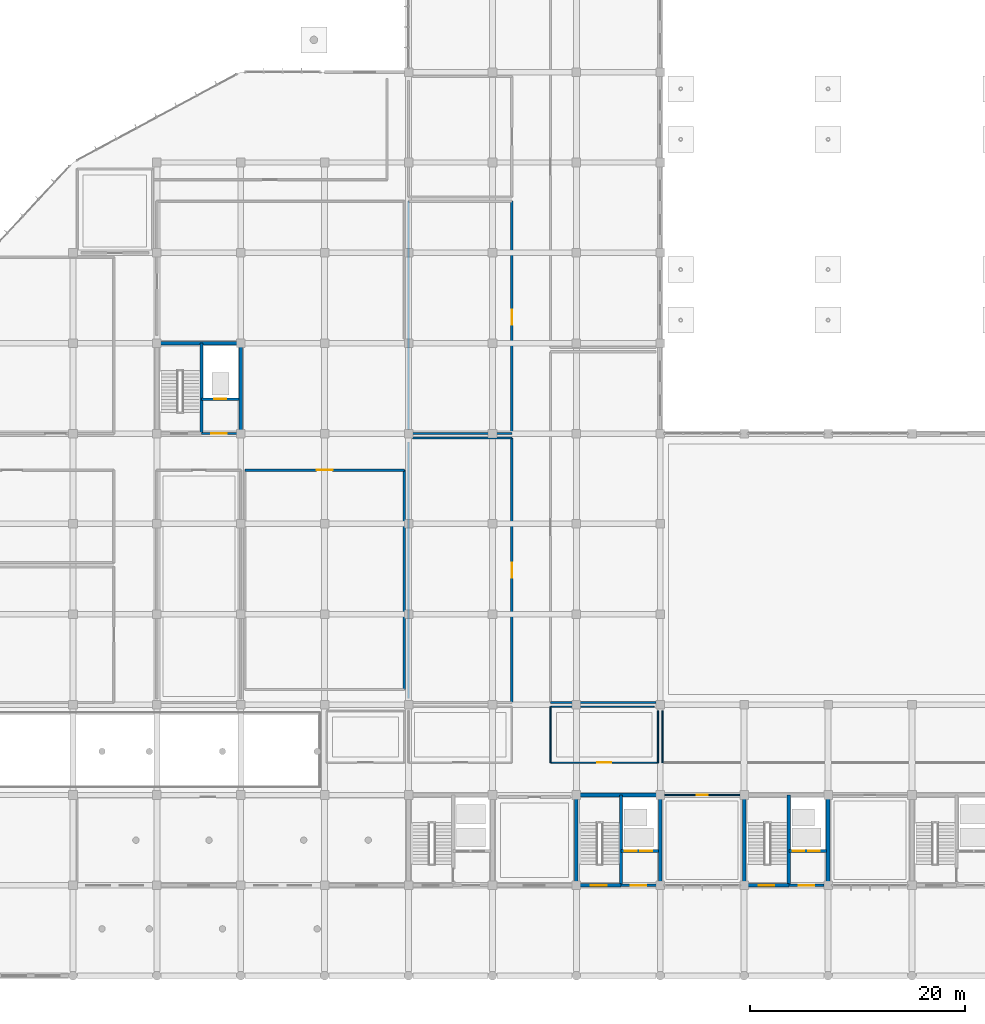
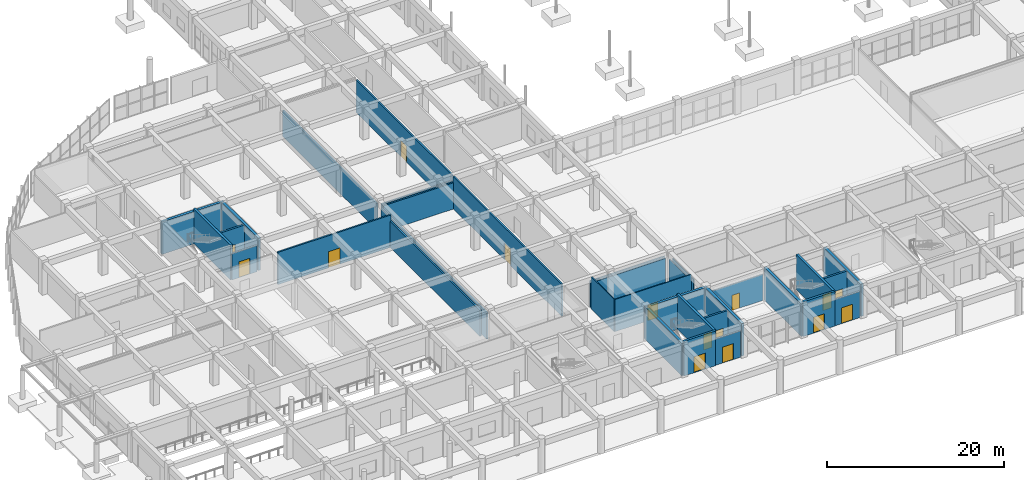
# One storey, part 123 of 139: 33 walls, 15 doors, 15 openings.
"""IFC4 building model written with IfcOpenShell, lengths in metres."""

from ifc_helpers import new_model, si_unit, direction, frame, frame_2d, origin, place, context, subcontext, project, spatial, rectangle, extrude, material, layer, layer_set, type_object, element, fill, save


model = new_model("IFC4")

# Units and contexts
model_context = context("Model", 3, precision=1e-05, world=origin(), true_north=direction((0.0, 1.0)))
body_context = subcontext(model_context, "Body", "Model", "MODEL_VIEW")
ifc_project = project(units=[si_unit("LENGTHUNIT", "METRE"), si_unit("AREAUNIT", "SQUARE_METRE"), si_unit("VOLUMEUNIT", "CUBIC_METRE"), si_unit("PLANEANGLEUNIT", "RADIAN"), si_unit("MASSUNIT", "GRAM", prefix="KILO")], contexts=[model_context])

# Site, building, storey
site_placement = place(None, origin())
site = spatial("IfcSite", under=ifc_project, at=site_placement, CompositionType="ELEMENT")
building_placement = place(site_placement, origin())
building = spatial("IfcBuilding", under=site, at=building_placement, Name="Zizhar Promenade General Hospital", CompositionType="ELEMENT")
storey_placement = place(building_placement, origin())
storey = spatial("IfcBuildingStorey", under=building, at=storey_placement, Name="L00", CompositionType="ELEMENT", Elevation=0.0)

# Wall, opening, door
ifc_material_1 = material(Name="Concrete C35/45", Category="concrete")
ifc_layer_1 = layer(ifc_material_1, 0.215087890625)
ifc_layer_set_1 = layer_set([ifc_layer_1], Name="Concrete C35/45")
wall_type_1 = type_object("IfcWallType", Name="IW-LOBBY-215", PredefinedType="STANDARD", material=ifc_layer_set_1)
wall_1_placement = place(storey_placement, frame((27.550048828125, 50.39990234375, 0.0), z_axis=(0.0, 0.0, 1.0), x_axis=(1.0, 0.0, 0.0)))
wall_1 = element("IfcWall", 1, at=wall_1_placement, inside=storey, type_object=wall_type_1, Name="Core C1 Lift Lobby South Fire Wall (L00)", PredefinedType="STANDARD", context=body_context, shape_type="SweptSolid", body=[
    extrude(rectangle(XDim=3.2900390625, YDim=0.215087890625, at=frame_2d((1.64501953125, 0.0))), origin(), (0.0, 0.0, 1.0), 3.6298828125),
])
opening_1_placement = place(wall_1_placement, frame((0.925048828125, 0.0, 0.0)))
opening_1 = element("IfcOpeningElement", 2, at=opening_1_placement, cuts=wall_1, Name="Opening D-23", PredefinedType="OPENING", context=body_context, shape_type="SweptSolid", body=[
    extrude(rectangle(XDim=1.43994140625, YDim=2.199951171875, at=frame_2d((0.719970703125, 1.10009765625))), frame((0.0, 0.11767578125, 0.0), z_axis=(0.0, -1.0, 0.0), x_axis=(1.0, 0.0, 0.0)), (0.0, 0.0, 1.0), 0.235107421875),
])
ifc_material_2 = material(Name="Fire-rated timber lift lobby pair", Category="wood")
door_type_1 = type_object("IfcDoorType", Name="DR-LOBBY-PR-144x220", OperationType="DOUBLE_DOOR_SINGLE_SWING", PredefinedType="DOOR", material=ifc_material_2)
door_1_placement = place(opening_1_placement, origin())
door_1 = element("IfcDoor", 3, at=door_1_placement, inside=storey, type_object=door_type_1, Name="Core C1 Protected Lift Lobby Door (L00)", OperationType="DOUBLE_DOOR_SINGLE_SWING", OverallHeight=2.199951171875, OverallWidth=1.43994140625, PredefinedType="DOOR", context=body_context, shape_type="SweptSolid", body=[
    extrude(rectangle(XDim=1.43994140625, YDim=2.199951171875, at=frame_2d((0.719970703125, 1.10009765625))), frame((0.0, 0.02490234375, 0.0), z_axis=(0.0, -1.0, 0.0), x_axis=(1.0, 0.0, 0.0)), (0.0, 0.0, 1.0), 0.050048828125),
])
fill(opening_1, door_1)

wall_2_placement = place(storey_placement, frame((66.550048828125, 8.39990234375, 0.0), z_axis=(0.0, 0.0, 1.0), x_axis=(1.0, 0.0, 0.0)))
wall_2 = element("IfcWall", 4, at=wall_2_placement, inside=storey, type_object=wall_type_1, Name="Core C3 Lift Lobby South Fire Wall (L00)", PredefinedType="STANDARD", context=body_context, shape_type="SweptSolid", body=[
    extrude(rectangle(XDim=3.2900390625, YDim=0.215087890625, at=frame_2d((1.64501953125, 0.0))), origin(), (0.0, 0.0, 1.0), 3.6298828125),
])
opening_2_placement = place(wall_2_placement, frame((0.925048828125, 0.0, 0.0)))
opening_2 = element("IfcOpeningElement", 5, at=opening_2_placement, cuts=wall_2, Name="Opening D-23", PredefinedType="OPENING", context=body_context, shape_type="SweptSolid", body=[
    extrude(rectangle(XDim=1.43994140625, YDim=2.199951171875, at=frame_2d((0.719970703125, 1.10009765625))), frame((0.0, 0.11767578125, 0.0), z_axis=(0.0, -1.0, 0.0), x_axis=(1.0, 0.0, 0.0)), (0.0, 0.0, 1.0), 0.235107421875),
])
door_2_placement = place(opening_2_placement, origin())
door_2 = element("IfcDoor", 6, at=door_2_placement, inside=storey, type_object=door_type_1, Name="Core C3 Protected Lift Lobby Door (L00)", OperationType="DOUBLE_DOOR_SINGLE_SWING", OverallHeight=2.199951171875, OverallWidth=1.43994140625, PredefinedType="DOOR", context=body_context, shape_type="SweptSolid", body=[
    extrude(rectangle(XDim=1.43994140625, YDim=2.199951171875, at=frame_2d((0.719970703125, 1.10009765625))), frame((0.0, 0.02490234375, 0.0), z_axis=(0.0, -1.0, 0.0), x_axis=(1.0, 0.0, 0.0)), (0.0, 0.0, 1.0), 0.050048828125),
])
fill(opening_2, door_2)

wall_3_placement = place(storey_placement, frame((82.14990234375, 8.39990234375, 0.0), z_axis=(0.0, 0.0, 1.0), x_axis=(1.0, 0.0, 0.0)))
wall_3 = element("IfcWall", 7, at=wall_3_placement, inside=storey, type_object=wall_type_1, Name="Core C4 Lift Lobby South Fire Wall (L00)", PredefinedType="STANDARD", context=body_context, shape_type="SweptSolid", body=[
    extrude(rectangle(XDim=3.2900390625, YDim=0.215087890625, at=frame_2d((1.64501953125, 0.0))), origin(), (0.0, 0.0, 1.0), 3.6298828125),
])
opening_3_placement = place(wall_3_placement, frame((0.925048828125, 0.0, 0.0)))
opening_3 = element("IfcOpeningElement", 8, at=opening_3_placement, cuts=wall_3, Name="Opening D-23", PredefinedType="OPENING", context=body_context, shape_type="SweptSolid", body=[
    extrude(rectangle(XDim=1.43994140625, YDim=2.199951171875, at=frame_2d((0.719970703125, 1.10009765625))), frame((0.0, 0.11767578125, 0.0), z_axis=(0.0, -1.0, 0.0), x_axis=(1.0, 0.0, 0.0)), (0.0, 0.0, 1.0), 0.235107421875),
])
door_3_placement = place(opening_3_placement, origin())
door_3 = element("IfcDoor", 9, at=door_3_placement, inside=storey, type_object=door_type_1, Name="Core C4 Protected Lift Lobby Door (L00)", OperationType="DOUBLE_DOOR_SINGLE_SWING", OverallHeight=2.199951171875, OverallWidth=1.43994140625, PredefinedType="DOOR", context=body_context, shape_type="SweptSolid", body=[
    extrude(rectangle(XDim=1.43994140625, YDim=2.199951171875, at=frame_2d((0.719970703125, 1.10009765625))), frame((0.0, 0.02490234375, 0.0), z_axis=(0.0, -1.0, 0.0), x_axis=(1.0, 0.0, 0.0)), (0.0, 0.0, 1.0), 0.050048828125),
])
fill(opening_3, door_3)

ifc_material_3 = material(Name="Concrete C35/45", Category="concrete")
ifc_layer_2 = layer(ifc_material_3, 0.25)
ifc_layer_set_2 = layer_set([ifc_layer_2], Name="Concrete C35/45")
wall_type_2 = type_object("IfcWallType", Name="IW-SHAFT-250", PredefinedType="STANDARD", material=ifc_layer_set_2)
wall_4_placement = place(storey_placement, frame((27.550048828125, 53.60009765625, 0.0), z_axis=(0.0, 0.0, 1.0), x_axis=(1.0, 0.0, 0.0)))
wall_4 = element("IfcWall", 10, at=wall_4_placement, inside=storey, type_object=wall_type_2, Name="Core C1 Lift Shaft Landing Wall (L00)", PredefinedType="STANDARD", context=body_context, shape_type="SweptSolid", body=[
    extrude(rectangle(XDim=3.5, YDim=0.25, at=frame_2d((1.75, 0.0))), origin(), (0.0, 0.0, 1.0), 4.4599609375),
])
opening_4_placement = place(wall_4_placement, frame((1.199951171875, 0.0, 0.0)))
opening_4 = element("IfcOpeningElement", 11, at=opening_4_placement, cuts=wall_4, Name="Opening LD-11", PredefinedType="OPENING", context=body_context, shape_type="SweptSolid", body=[
    extrude(rectangle(XDim=1.10009765625, YDim=2.199951171875, at=frame_2d((0.550048828125, 1.10009765625))), frame((0.0, 0.135009765625, 0.0), z_axis=(0.0, -1.0, 0.0), x_axis=(1.0, 0.0, 0.0)), (0.0, 0.0, 1.0), 0.27001953125),
])
ifc_material_4 = material(Name="Stainless Steel S355 passenger lift landing door", Category="steel")
door_type_2 = type_object("IfcDoorType", Name="DR-LIFT-LD11", OperationType="SLIDING_TO_LEFT", PredefinedType="DOOR", material=ifc_material_4)
door_4_placement = place(opening_4_placement, origin())
door_4 = element("IfcDoor", 12, at=door_4_placement, inside=storey, type_object=door_type_2, Name="Lift LP-01 Sliding Landing Door (L00)", OperationType="SLIDING_TO_LEFT", OverallHeight=2.199951171875, OverallWidth=1.10009765625, PredefinedType="DOOR", context=body_context, shape_type="SweptSolid", body=[
    extrude(rectangle(XDim=1.10009765625, YDim=2.199951171875, at=frame_2d((0.550048828125, 1.10009765625))), frame((0.0, 0.02490234375, 0.0), z_axis=(0.0, -1.0, 0.0), x_axis=(1.0, 0.0, 0.0)), (0.0, 0.0, 1.0), 0.050048828125),
])
fill(opening_4, door_4)

# Wall, openings, doors
wall_5_placement = place(storey_placement, frame((66.550048828125, 11.60009765625, 0.0), z_axis=(0.0, 0.0, 1.0), x_axis=(1.0, 0.0, 0.0)))
wall_5 = element("IfcWall", 13, at=wall_5_placement, inside=storey, type_object=wall_type_2, Name="Core C3 Lift Shaft Landing Wall (L00)", PredefinedType="STANDARD", context=body_context, shape_type="SweptSolid", body=[
    extrude(rectangle(XDim=3.5, YDim=0.25, at=frame_2d((1.75, 0.0))), origin(), (0.0, 0.0, 1.0), 4.4599609375),
])
opening_5_placement = place(wall_5_placement, frame((0.35009765625, 0.0, 0.0)))
opening_5 = element("IfcOpeningElement", 14, at=opening_5_placement, cuts=wall_5, Name="Opening LD-11", PredefinedType="OPENING", context=body_context, shape_type="SweptSolid", body=[
    extrude(rectangle(XDim=1.10009765625, YDim=2.199951171875, at=frame_2d((0.550048828125, 1.10009765625))), frame((0.0, 0.135009765625, 0.0), z_axis=(0.0, -1.0, 0.0), x_axis=(1.0, 0.0, 0.0)), (0.0, 0.0, 1.0), 0.27001953125),
])
opening_6_placement = place(wall_5_placement, frame((1.800048828125, 0.0, 0.0)))
opening_6 = element("IfcOpeningElement", 15, at=opening_6_placement, cuts=wall_5, Name="Opening LD-11", PredefinedType="OPENING", context=body_context, shape_type="SweptSolid", body=[
    extrude(rectangle(XDim=1.10009765625, YDim=2.199951171875, at=frame_2d((0.550048828125, 1.10009765625))), frame((0.0, 0.135009765625, 0.0), z_axis=(0.0, -1.0, 0.0), x_axis=(1.0, 0.0, 0.0)), (0.0, 0.0, 1.0), 0.27001953125),
])
door_5_placement = place(opening_5_placement, origin())
door_5 = element("IfcDoor", 16, at=door_5_placement, inside=storey, type_object=door_type_2, Name="Lift LB-02 Sliding Landing Door (L00)", OperationType="SLIDING_TO_LEFT", OverallHeight=2.199951171875, OverallWidth=1.10009765625, PredefinedType="DOOR", context=body_context, shape_type="SweptSolid", body=[
    extrude(rectangle(XDim=1.10009765625, YDim=2.199951171875, at=frame_2d((0.550048828125, 1.10009765625))), frame((0.0, 0.02490234375, 0.0), z_axis=(0.0, -1.0, 0.0), x_axis=(1.0, 0.0, 0.0)), (0.0, 0.0, 1.0), 0.050048828125),
])
fill(opening_5, door_5)
door_6_placement = place(opening_6_placement, origin())
door_6 = element("IfcDoor", 17, at=door_6_placement, inside=storey, type_object=door_type_2, Name="Lift LP-02 Sliding Landing Door (L00)", OperationType="SLIDING_TO_LEFT", OverallHeight=2.199951171875, OverallWidth=1.10009765625, PredefinedType="DOOR", context=body_context, shape_type="SweptSolid", body=[
    extrude(rectangle(XDim=1.10009765625, YDim=2.199951171875, at=frame_2d((0.550048828125, 1.10009765625))), frame((0.0, 0.02490234375, 0.0), z_axis=(0.0, -1.0, 0.0), x_axis=(1.0, 0.0, 0.0)), (0.0, 0.0, 1.0), 0.050048828125),
])
fill(opening_6, door_6)

wall_6_placement = place(storey_placement, frame((82.14990234375, 11.60009765625, 0.0), z_axis=(0.0, 0.0, 1.0), x_axis=(1.0, 0.0, 0.0)))
wall_6 = element("IfcWall", 18, at=wall_6_placement, inside=storey, type_object=wall_type_2, Name="Core C4 Lift Shaft Landing Wall (L00)", PredefinedType="STANDARD", context=body_context, shape_type="SweptSolid", body=[
    extrude(rectangle(XDim=3.5, YDim=0.25, at=frame_2d((1.75, 0.0))), origin(), (0.0, 0.0, 1.0), 4.4599609375),
])
opening_7_placement = place(wall_6_placement, frame((0.35009765625, 0.0, 0.0)))
opening_7 = element("IfcOpeningElement", 19, at=opening_7_placement, cuts=wall_6, Name="Opening LD-11", PredefinedType="OPENING", context=body_context, shape_type="SweptSolid", body=[
    extrude(rectangle(XDim=1.10009765625, YDim=2.199951171875, at=frame_2d((0.550048828125, 1.10009765625))), frame((0.0, 0.135009765625, 0.0), z_axis=(0.0, -1.0, 0.0), x_axis=(1.0, 0.0, 0.0)), (0.0, 0.0, 1.0), 0.27001953125),
])
opening_8_placement = place(wall_6_placement, frame((1.800048828125, 0.0, 0.0)))
opening_8 = element("IfcOpeningElement", 20, at=opening_8_placement, cuts=wall_6, Name="Opening LD-11", PredefinedType="OPENING", context=body_context, shape_type="SweptSolid", body=[
    extrude(rectangle(XDim=1.10009765625, YDim=2.199951171875, at=frame_2d((0.550048828125, 1.10009765625))), frame((0.0, 0.135009765625, 0.0), z_axis=(0.0, -1.0, 0.0), x_axis=(1.0, 0.0, 0.0)), (0.0, 0.0, 1.0), 0.27001953125),
])
door_7_placement = place(opening_7_placement, origin())
door_7 = element("IfcDoor", 21, at=door_7_placement, inside=storey, type_object=door_type_2, Name="Lift LB-03 Sliding Landing Door (L00)", OperationType="SLIDING_TO_LEFT", OverallHeight=2.199951171875, OverallWidth=1.10009765625, PredefinedType="DOOR", context=body_context, shape_type="SweptSolid", body=[
    extrude(rectangle(XDim=1.10009765625, YDim=2.199951171875, at=frame_2d((0.550048828125, 1.10009765625))), frame((0.0, 0.02490234375, 0.0), z_axis=(0.0, -1.0, 0.0), x_axis=(1.0, 0.0, 0.0)), (0.0, 0.0, 1.0), 0.050048828125),
])
fill(opening_7, door_7)
door_8_placement = place(opening_8_placement, origin())
door_8 = element("IfcDoor", 22, at=door_8_placement, inside=storey, type_object=door_type_2, Name="Lift LP-03 Sliding Landing Door (L00)", OperationType="SLIDING_TO_LEFT", OverallHeight=2.199951171875, OverallWidth=1.10009765625, PredefinedType="DOOR", context=body_context, shape_type="SweptSolid", body=[
    extrude(rectangle(XDim=1.10009765625, YDim=2.199951171875, at=frame_2d((0.550048828125, 1.10009765625))), frame((0.0, 0.02490234375, 0.0), z_axis=(0.0, -1.0, 0.0), x_axis=(1.0, 0.0, 0.0)), (0.0, 0.0, 1.0), 0.050048828125),
])
fill(opening_8, door_8)

# Wall, opening, door
ifc_material_5 = material(Name="Clean utility gypsum partition")
ifc_layer_3 = layer(ifc_material_5, 0.114990234375)
ifc_layer_set_3 = layer_set([ifc_layer_3], Name="Clean utility gypsum partition")
wall_type_3 = type_object("IfcWallType", Name="IW-STR-115", PredefinedType="PARTITIONING", material=ifc_layer_set_3)
wall_7_placement = place(storey_placement, frame((60.0, 19.800048828125, 0.0), z_axis=(0.0, 0.0, 1.0), x_axis=(1.0, 0.0, 0.0)))
wall_7 = element("IfcWall", 23, at=wall_7_placement, inside=storey, type_object=wall_type_3, Name="Radiopharmacy Dispensing Room S Partition", PredefinedType="PARTITIONING", context=body_context, shape_type="SweptSolid", body=[
    extrude(rectangle(XDim=10.0, YDim=0.114990234375, at=frame_2d((5.0, 0.0))), origin(), (0.0, 0.0, 1.0), 4.4599609375),
])
opening_9_placement = place(wall_7_placement, frame((4.340087890625, 0.0, 0.0)))
opening_9 = element("IfcOpeningElement", 24, at=opening_9_placement, cuts=wall_7, Name="Opening D-26", PredefinedType="OPENING", context=body_context, shape_type="SweptSolid", body=[
    extrude(rectangle(XDim=1.320068359375, YDim=2.14990234375, at=frame_2d((0.66015625, 1.074951171875))), frame((0.0, 0.0673828125, 0.0), z_axis=(0.0, -1.0, 0.0), x_axis=(1.0, 0.0, 0.0)), (0.0, 0.0, 1.0), 0.135009765625),
])
ifc_material_6 = material(Name="Fire-rated timber store leaf", Category="wood")
door_type_3 = type_object("IfcDoorType", Name="DR-STORE-132x215", OperationType="NOTDEFINED", PredefinedType="DOOR", material=ifc_material_6)
door_9_placement = place(opening_9_placement, origin())
door_9 = element("IfcDoor", 25, at=door_9_placement, inside=storey, type_object=door_type_3, Name="Radiopharmacy Dispensing Room Door", OperationType="SINGLE_SWING_LEFT", OverallHeight=2.14990234375, OverallWidth=1.320068359375, PredefinedType="DOOR", context=body_context, shape_type="SweptSolid", body=[
    extrude(rectangle(XDim=1.320068359375, YDim=2.14990234375, at=frame_2d((0.66015625, 1.074951171875))), frame((0.0, 0.02490234375, 0.0), z_axis=(0.0, -1.0, 0.0), x_axis=(1.0, 0.0, 0.0)), (0.0, 0.0, 1.0), 0.050048828125),
])
fill(opening_9, door_9)

# Walls
wall_8_placement = place(storey_placement, frame((60.0, 25.0, 0.0), z_axis=(0.0, 0.0, 1.0), x_axis=(1.0, 0.0, 0.0)))
element("IfcWall", 26, at=wall_8_placement, inside=storey, type_object=wall_type_3, Name="Radiopharmacy Dispensing Room N Partition", PredefinedType="PARTITIONING", context=body_context, shape_type="SweptSolid", body=[
    extrude(rectangle(XDim=9.639892578125, YDim=0.114990234375, at=frame_2d((4.81982421875, 0.0))), origin(), (0.0, 0.0, 1.0), 3.6298828125),
])
wall_9_placement = place(storey_placement, frame((60.0, 19.800048828125, 0.0), z_axis=(0.0, 0.0, 1.0), x_axis=(0.0, 1.0, 0.0)))
element("IfcWall", 27, at=wall_9_placement, inside=storey, type_object=wall_type_3, Name="Radiopharmacy Dispensing Room W Partition", PredefinedType="PARTITIONING", context=body_context, shape_type="SweptSolid", body=[
    extrude(rectangle(XDim=5.199951171875, YDim=0.114990234375, at=frame_2d((2.60009765625, 0.0))), origin(), (0.0, 0.0, 1.0), 4.4599609375),
])
for number, where, z_axis, x_axis, name in (
    (28, (70.0, 19.800048828125, 0.0), (0.0, 0.0, 1.0), (0.0, 1.0, 0.0), "Radiopharmacy Dispensing Room E Partition"),
    (29, (70.39990234375, 19.800048828125, 0.0), (0.0, 0.0, 1.0), (0.0, 1.0, 0.0), "Visitor Waiting Concourse W Partition"),
):
    element("IfcWall", number, at=place(storey_placement, frame(where, z_axis=z_axis, x_axis=x_axis)), inside=storey, type_object=wall_type_3, Name=name, PredefinedType="PARTITIONING", context=body_context, shape_type="SweptSolid", body=[
        extrude(rectangle(XDim=4.83984375, YDim=0.114990234375, at=frame_2d((2.419921875, 0.0))), origin(), (0.0, 0.0, 1.0), 3.614990234375),
    ])

# Wall, opening, door
ifc_material_7 = material(Name="Moisture-resistant en-suite wet partition")
ifc_layer_4 = layer(ifc_material_7, 0.125)
ifc_layer_set_4 = layer_set([ifc_layer_4], Name="Moisture-resistant en-suite wet partition")
wall_type_4 = type_object("IfcWallType", Name="IW-WET-125", PredefinedType="PARTITIONING", material=ifc_layer_set_4)
wall_10_placement = place(storey_placement, frame((70.56005859375, 16.800048828125, 0.0), z_axis=(0.0, 0.0, 1.0), x_axis=(1.0, 0.0, 0.0)))
wall_10 = element("IfcWall", 30, at=wall_10_placement, inside=storey, type_object=wall_type_4, Name="Accessible Public Toilet L00 West N Partition", PredefinedType="PARTITIONING", context=body_context, shape_type="SweptSolid", body=[
    extrude(rectangle(XDim=7.079833984375, YDim=0.125, at=frame_2d((3.5400390625, 0.0))), origin(), (0.0, 0.0, 1.0), 3.6298828125),
])
opening_10_placement = place(wall_10_placement, frame((3.0400390625, 0.0, 0.0)))
opening_10 = element("IfcOpeningElement", 31, at=opening_10_placement, cuts=wall_10, Name="Opening D-19", PredefinedType="OPENING", context=body_context, shape_type="SweptSolid", body=[
    extrude(rectangle(XDim=1.0, YDim=2.10009765625, at=frame_2d((0.5, 1.050048828125))), frame((0.0, 0.072509765625, 0.0), z_axis=(0.0, -1.0, 0.0), x_axis=(1.0, 0.0, 0.0)), (0.0, 0.0, 1.0), 0.14501953125),
])
ifc_material_8 = material(Name="Moisture-resistant timber accessible WC", Category="wood")
door_type_4 = type_object("IfcDoorType", Name="DR-WC-PMR-100x210", OperationType="NOTDEFINED", PredefinedType="DOOR", material=ifc_material_8)
door_10_placement = place(opening_10_placement, origin())
door_10 = element("IfcDoor", 32, at=door_10_placement, inside=storey, type_object=door_type_4, Name="Accessible Public Toilet L00 West Door", OperationType="SINGLE_SWING_RIGHT", OverallHeight=2.10009765625, OverallWidth=1.0, PredefinedType="DOOR", context=body_context, shape_type="SweptSolid", body=[
    extrude(rectangle(XDim=1.0, YDim=2.10009765625, at=frame_2d((0.5, 1.050048828125))), frame((0.0, 0.02490234375, 0.0), z_axis=(0.0, -1.0, 0.0), x_axis=(1.0, 0.0, 0.0)), (0.0, 0.0, 1.0), 0.050048828125),
])
fill(opening_10, door_10)

ifc_material_9 = material(Name="Lead-lined gypsum acoustic partition")
ifc_layer_5 = layer(ifc_material_9, 0.205078125)
ifc_layer_set_5 = layer_set([ifc_layer_5], Name="Lead-lined gypsum acoustic partition")
wall_type_5 = type_object("IfcWallType", Name="IW-XRAY-205", PredefinedType="PARTITIONING", material=ifc_layer_set_5)
wall_11_placement = place(storey_placement, frame((31.60009765625, 47.0, 0.0), z_axis=(0.0, 0.0, 1.0), x_axis=(1.0, 0.0, 0.0)))
wall_11 = element("IfcWall", 33, at=wall_11_placement, inside=storey, type_object=wall_type_5, Name="Emergency Department CT and Trauma X-Ray N Partition", PredefinedType="PARTITIONING", context=body_context, shape_type="SweptSolid", body=[
    extrude(rectangle(XDim=14.7998046875, YDim=0.205078125, at=frame_2d((7.39990234375, 0.0))), origin(), (0.0, 0.0, 1.0), 4.4599609375),
])
opening_11_placement = place(wall_11_placement, frame((6.64990234375, 0.0, 0.0)))
opening_11 = element("IfcOpeningElement", 34, at=opening_11_placement, cuts=wall_11, Name="Opening D-10", PredefinedType="OPENING", context=body_context, shape_type="SweptSolid", body=[
    extrude(rectangle(XDim=1.5, YDim=2.25, at=frame_2d((0.75, 1.125))), frame((0.0, 0.112548828125, 0.0), z_axis=(0.0, -1.0, 0.0), x_axis=(1.0, 0.0, 0.0)), (0.0, 0.0, 1.0), 0.22509765625),
])
ifc_material_10 = material(Name="Lead-lined radiation-shielded Steel S355", Category="steel")
door_type_5 = type_object("IfcDoorType", Name="DR-IMG-LEAD-150x225", OperationType="DOUBLE_DOOR_SINGLE_SWING", PredefinedType="DOOR", material=ifc_material_10)
door_11_placement = place(opening_11_placement, origin())
door_11 = element("IfcDoor", 35, at=door_11_placement, inside=storey, type_object=door_type_5, Name="Emergency Department CT and Trauma X-Ray Door", OperationType="DOUBLE_DOOR_SINGLE_SWING", OverallHeight=2.25, OverallWidth=1.5, PredefinedType="DOOR", context=body_context, shape_type="SweptSolid", body=[
    extrude(rectangle(XDim=1.5, YDim=2.25, at=frame_2d((0.75, 1.125))), frame((0.0, 0.02490234375, 0.0), z_axis=(0.0, -1.0, 0.0), x_axis=(1.0, 0.0, 0.0)), (0.0, 0.0, 1.0), 0.050048828125),
])
fill(opening_11, door_11)

# Walls
wall_12_placement = place(storey_placement, frame((46.39990234375, 26.60009765625, 0.0), z_axis=(0.0, 0.0, 1.0), x_axis=(0.0, 1.0, 0.0)))
element("IfcWall", 36, at=wall_12_placement, inside=storey, type_object=wall_type_5, Name="Emergency Department CT and Trauma X-Ray E Partition", PredefinedType="PARTITIONING", context=body_context, shape_type="SweptSolid", body=[
    extrude(rectangle(XDim=20.39990234375, YDim=0.205078125, at=frame_2d((10.199951171875, 0.0))), origin(), (0.0, 0.0, 1.0), 3.614990234375),
])
wall_13_placement = place(storey_placement, frame((47.159912109375, 50.0, 0.0), z_axis=(0.0, 0.0, 1.0), x_axis=(1.0, 0.0, 0.0)))
element("IfcWall", 37, at=wall_13_placement, inside=storey, type_object=wall_type_5, Name="MRI Diagnostic Imaging Suite 01 N Partition", PredefinedType="PARTITIONING", context=body_context, shape_type="SweptSolid", body=[
    extrude(rectangle(XDim=9.239990234375, YDim=0.205078125, at=frame_2d((4.6201171875, 0.0))), origin(), (0.0, 0.0, 1.0), 3.6298828125),
])
wall_14_placement = place(storey_placement, frame((46.800048828125, 25.760009765625, 0.0), z_axis=(0.0, 0.0, 1.0), x_axis=(0.0, 1.0, 0.0)))
element("IfcWall", 38, at=wall_14_placement, inside=storey, type_object=wall_type_5, Name="MRI Diagnostic Imaging Suite 01 W Partition", PredefinedType="PARTITIONING", context=body_context, shape_type="SweptSolid", body=[
    extrude(rectangle(XDim=23.8798828125, YDim=0.205078125, at=frame_2d((11.93994140625, 0.0))), origin(), (0.0, 0.0, 1.0), 3.614990234375),
])

# Wall, opening, door
wall_15_placement = place(storey_placement, frame((56.39990234375, 25.39990234375, 0.0), z_axis=(0.0, 0.0, 1.0), x_axis=(0.0, 1.0, 0.0)))
wall_15 = element("IfcWall", 39, at=wall_15_placement, inside=storey, type_object=wall_type_5, Name="MRI Diagnostic Imaging Suite 01 E Partition", PredefinedType="PARTITIONING", context=body_context, shape_type="SweptSolid", body=[
    extrude(rectangle(XDim=24.60009765625, YDim=0.205078125, at=frame_2d((12.300048828125, 0.0))), origin(), (0.0, 0.0, 1.0), 4.4599609375),
])
opening_12_placement = place(wall_15_placement, frame((11.60009765625, 0.0, 0.0)))
opening_12 = element("IfcOpeningElement", 40, at=opening_12_placement, cuts=wall_15, Name="Opening D-11", PredefinedType="OPENING", context=body_context, shape_type="SweptSolid", body=[
    extrude(rectangle(XDim=1.39990234375, YDim=2.25, at=frame_2d((0.699951171875, 1.125))), frame((0.0, 0.112548828125, 0.0), z_axis=(0.0, -1.0, 0.0), x_axis=(1.0, 0.0, 0.0)), (0.0, 0.0, 1.0), 0.22509765625),
])
ifc_material_11 = material(Name="RF-shielded non-magnetic aluminium", Category="aluminium")
door_type_6 = type_object("IfcDoorType", Name="DR-IMG-MRI-140x225", OperationType="NOTDEFINED", PredefinedType="DOOR", material=ifc_material_11)
door_12_placement = place(opening_12_placement, origin())
door_12 = element("IfcDoor", 41, at=door_12_placement, inside=storey, type_object=door_type_6, Name="MRI Diagnostic Imaging Suite 01 Door", OperationType="SINGLE_SWING_RIGHT", OverallHeight=2.25, OverallWidth=1.39990234375, PredefinedType="DOOR", context=body_context, shape_type="SweptSolid", body=[
    extrude(rectangle(XDim=1.39990234375, YDim=2.25, at=frame_2d((0.699951171875, 1.125))), frame((0.0, 0.02490234375, 0.0), z_axis=(0.0, -1.0, 0.0), x_axis=(1.0, 0.0, 0.0)), (0.0, 0.0, 1.0), 0.050048828125),
])
fill(opening_12, door_12)

# Walls
wall_16_placement = place(storey_placement, frame((47.159912109375, 50.39990234375, 0.0), z_axis=(0.0, 0.0, 1.0), x_axis=(1.0, 0.0, 0.0)))
element("IfcWall", 42, at=wall_16_placement, inside=storey, type_object=wall_type_5, Name="MRI Diagnostic Imaging Suite 02 S Partition", PredefinedType="PARTITIONING", context=body_context, shape_type="SweptSolid", body=[
    extrude(rectangle(XDim=9.239990234375, YDim=0.205078125, at=frame_2d((4.6201171875, 0.0))), origin(), (0.0, 0.0, 1.0), 3.6298828125),
])
wall_17_placement = place(storey_placement, frame((46.800048828125, 50.760009765625, 0.0), z_axis=(0.0, 0.0, 1.0), x_axis=(0.0, 1.0, 0.0)))
element("IfcWall", 43, at=wall_17_placement, inside=storey, type_object=wall_type_5, Name="MRI Diagnostic Imaging Suite 02 W Partition", PredefinedType="PARTITIONING", context=body_context, shape_type="SweptSolid", body=[
    extrude(rectangle(XDim=21.239990234375, YDim=0.205078125, at=frame_2d((10.6201171875, 0.0))), origin(), (0.0, 0.0, 1.0), 3.614990234375),
])

# Wall, opening, door
wall_18_placement = place(storey_placement, frame((56.39990234375, 50.39990234375, 0.0), z_axis=(0.0, 0.0, 1.0), x_axis=(0.0, 1.0, 0.0)))
wall_18 = element("IfcWall", 44, at=wall_18_placement, inside=storey, type_object=wall_type_5, Name="MRI Diagnostic Imaging Suite 02 E Partition", PredefinedType="PARTITIONING", context=body_context, shape_type="SweptSolid", body=[
    extrude(rectangle(XDim=21.60009765625, YDim=0.205078125, at=frame_2d((10.800048828125, 0.0))), origin(), (0.0, 0.0, 1.0), 4.4599609375),
])
opening_13_placement = place(wall_18_placement, frame((10.10009765625, 0.0, 0.0)))
opening_13 = element("IfcOpeningElement", 45, at=opening_13_placement, cuts=wall_18, Name="Opening D-11", PredefinedType="OPENING", context=body_context, shape_type="SweptSolid", body=[
    extrude(rectangle(XDim=1.39990234375, YDim=2.25, at=frame_2d((0.699951171875, 1.125))), frame((0.0, 0.112548828125, 0.0), z_axis=(0.0, -1.0, 0.0), x_axis=(1.0, 0.0, 0.0)), (0.0, 0.0, 1.0), 0.22509765625),
])
door_13_placement = place(opening_13_placement, origin())
door_13 = element("IfcDoor", 46, at=door_13_placement, inside=storey, type_object=door_type_6, Name="MRI Diagnostic Imaging Suite 02 Door", OperationType="SINGLE_SWING_LEFT", OverallHeight=2.25, OverallWidth=1.39990234375, PredefinedType="DOOR", context=body_context, shape_type="SweptSolid", body=[
    extrude(rectangle(XDim=1.39990234375, YDim=2.25, at=frame_2d((0.699951171875, 1.125))), frame((0.0, 0.02490234375, 0.0), z_axis=(0.0, -1.0, 0.0), x_axis=(1.0, 0.0, 0.0)), (0.0, 0.0, 1.0), 0.050048828125),
])
fill(opening_13, door_13)

# Walls
wall_19_placement = place(storey_placement, frame((60.0, 25.39990234375, 0.0), z_axis=(0.0, 0.0, 1.0), x_axis=(1.0, 0.0, 0.0)))
element("IfcWall", 47, at=wall_19_placement, inside=storey, type_object=wall_type_5, Name="Digital X-Ray and Fluoroscopy Imaging Room S Partition", PredefinedType="PARTITIONING", context=body_context, shape_type="SweptSolid", body=[
    extrude(rectangle(XDim=9.800048828125, YDim=0.205078125, at=frame_2d((4.89990234375, 0.0))), origin(), (0.0, 0.0, 1.0), 3.6298828125),
])
ifc_material_12 = material(Name="Concrete C40/50", Category="concrete")
ifc_layer_6 = layer(ifc_material_12, 0.300048828125)
ifc_layer_set_6 = layer_set([ifc_layer_6], Name="Concrete C40/50")
wall_type_6 = type_object("IfcWallType", Name="WL-CORE-300", PredefinedType="SHEAR", material=ifc_layer_set_6)
wall_20_placement = place(storey_placement, frame((27.550048828125, 50.39990234375, 0.0), z_axis=(0.0, 0.0, 1.0), x_axis=(0.0, 1.0, 0.0)))
element("IfcWall", 48, at=wall_20_placement, inside=storey, type_object=wall_type_6, Name="Core C1 Stair-Shaft Separation Wall (L00)", PredefinedType="SHEAR", context=body_context, shape_type="SweptSolid", body=[
    extrude(rectangle(XDim=8.400146484375, YDim=0.300048828125, at=frame_2d((4.2001953125, 0.0))), origin(), (0.0, 0.0, 1.0), 4.800048828125),
])

# Wall, opening, door
wall_21_placement = place(storey_placement, frame((62.39990234375, 8.39990234375, 0.0), z_axis=(0.0, 0.0, 1.0), x_axis=(1.0, 0.0, 0.0)))
wall_21 = element("IfcWall", 49, at=wall_21_placement, inside=storey, type_object=wall_type_6, Name="Core C3 Stair South Fire Wall (L00)", PredefinedType="SHEAR", context=body_context, shape_type="SweptSolid", body=[
    extrude(rectangle(XDim=4.150146484375, YDim=0.300048828125, at=frame_2d((2.0751953125, 0.0))), origin(), (0.0, 0.0, 1.0), 4.800048828125),
])
opening_14_placement = place(wall_21_placement, frame((1.3349609375, 0.0, 0.0)))
opening_14 = element("IfcOpeningElement", 50, at=opening_14_placement, cuts=wall_21, Name="Opening D-20", PredefinedType="OPENING", context=body_context, shape_type="SweptSolid", body=[
    extrude(rectangle(XDim=1.47998046875, YDim=2.199951171875, at=frame_2d((0.739990234375, 1.10009765625))), frame((0.0, 0.16015625, 0.0), z_axis=(0.0, -1.0, 0.0), x_axis=(1.0, 0.0, 0.0)), (0.0, 0.0, 1.0), 0.320068359375),
])
ifc_material_13 = material(Name="Steel S355 fire-exit pair", Category="steel")
door_type_7 = type_object("IfcDoorType", Name="DR-STAIR-148x220", OperationType="DOUBLE_DOOR_SINGLE_SWING", PredefinedType="DOOR", material=ifc_material_13)
door_14_placement = place(opening_14_placement, origin())
door_14 = element("IfcDoor", 51, at=door_14_placement, inside=storey, type_object=door_type_7, Name="Exit Stair ST-03 Door (L00)", OperationType="DOUBLE_DOOR_SINGLE_SWING", OverallHeight=2.199951171875, OverallWidth=1.47998046875, PredefinedType="DOOR", context=body_context, shape_type="SweptSolid", body=[
    extrude(rectangle(XDim=1.47998046875, YDim=2.199951171875, at=frame_2d((0.739990234375, 1.10009765625))), frame((0.0, 0.02490234375, 0.0), z_axis=(0.0, -1.0, 0.0), x_axis=(1.0, 0.0, 0.0)), (0.0, 0.0, 1.0), 0.050048828125),
])
fill(opening_14, door_14)

# Wall
wall_22_placement = place(storey_placement, frame((66.550048828125, 8.39990234375, 0.0), z_axis=(0.0, 0.0, 1.0), x_axis=(0.0, 1.0, 0.0)))
element("IfcWall", 52, at=wall_22_placement, inside=storey, type_object=wall_type_6, Name="Core C3 Stair-Shaft Separation Wall (L00)", PredefinedType="SHEAR", context=body_context, shape_type="SweptSolid", body=[
    extrude(rectangle(XDim=8.400146484375, YDim=0.300048828125, at=frame_2d((4.2001953125, 0.0))), origin(), (0.0, 0.0, 1.0), 4.800048828125),
])

# Wall, opening, door
wall_23_placement = place(storey_placement, frame((78.0, 8.39990234375, 0.0), z_axis=(0.0, 0.0, 1.0), x_axis=(1.0, 0.0, 0.0)))
wall_23 = element("IfcWall", 53, at=wall_23_placement, inside=storey, type_object=wall_type_6, Name="Core C4 Stair South Fire Wall (L00)", PredefinedType="SHEAR", context=body_context, shape_type="SweptSolid", body=[
    extrude(rectangle(XDim=4.14990234375, YDim=0.300048828125, at=frame_2d((2.074951171875, 0.0))), origin(), (0.0, 0.0, 1.0), 4.800048828125),
])
opening_15_placement = place(wall_23_placement, frame((1.3349609375, 0.0, 0.0)))
opening_15 = element("IfcOpeningElement", 54, at=opening_15_placement, cuts=wall_23, Name="Opening D-20", PredefinedType="OPENING", context=body_context, shape_type="SweptSolid", body=[
    extrude(rectangle(XDim=1.47998046875, YDim=2.199951171875, at=frame_2d((0.739990234375, 1.10009765625))), frame((0.0, 0.16015625, 0.0), z_axis=(0.0, -1.0, 0.0), x_axis=(1.0, 0.0, 0.0)), (0.0, 0.0, 1.0), 0.320068359375),
])
door_15_placement = place(opening_15_placement, origin())
door_15 = element("IfcDoor", 55, at=door_15_placement, inside=storey, type_object=door_type_7, Name="Exit Stair ST-04 Door (L00)", OperationType="DOUBLE_DOOR_SINGLE_SWING", OverallHeight=2.199951171875, OverallWidth=1.47998046875, PredefinedType="DOOR", context=body_context, shape_type="SweptSolid", body=[
    extrude(rectangle(XDim=1.47998046875, YDim=2.199951171875, at=frame_2d((0.739990234375, 1.10009765625))), frame((0.0, 0.02490234375, 0.0), z_axis=(0.0, -1.0, 0.0), x_axis=(1.0, 0.0, 0.0)), (0.0, 0.0, 1.0), 0.050048828125),
])
fill(opening_15, door_15)

# Walls
wall_24_placement = place(storey_placement, frame((82.14990234375, 8.39990234375, 0.0), z_axis=(0.0, 0.0, 1.0), x_axis=(0.0, 1.0, 0.0)))
element("IfcWall", 56, at=wall_24_placement, inside=storey, type_object=wall_type_6, Name="Core C4 Stair-Shaft Separation Wall (L00)", PredefinedType="SHEAR", context=body_context, shape_type="SweptSolid", body=[
    extrude(rectangle(XDim=8.400146484375, YDim=0.300048828125, at=frame_2d((4.2001953125, 0.0))), origin(), (0.0, 0.0, 1.0), 4.800048828125),
])
ifc_material_14 = material(Name="Concrete C40/50", Category="concrete")
ifc_layer_7 = layer(ifc_material_14, 0.35009765625)
ifc_layer_set_7 = layer_set([ifc_layer_7], Name="Concrete C40/50")
wall_type_7 = type_object("IfcWallType", Name="WL-CORE-350", PredefinedType="SHEAR", material=ifc_layer_set_7)
wall_25_placement = place(storey_placement, frame((23.22509765625, 58.800048828125, 0.0), z_axis=(0.0, 0.0, 1.0), x_axis=(1.0, 0.0, 0.0)))
element("IfcWall", 57, at=wall_25_placement, inside=storey, type_object=wall_type_7, Name="Core C1 North Shear Wall L00", PredefinedType="SHEAR", context=body_context, shape_type="SweptSolid", body=[
    extrude(rectangle(XDim=8.14990234375, YDim=0.35009765625, at=frame_2d((4.074951171875, 0.0))), origin(), (0.0, 0.0, 1.0), 4.47998046875),
])
wall_26_placement = place(storey_placement, frame((31.199951171875, 50.39990234375, 0.0), z_axis=(0.0, 0.0, 1.0), x_axis=(0.0, 1.0, 0.0)))
element("IfcWall", 58, at=wall_26_placement, inside=storey, type_object=wall_type_7, Name="Core C1 East Shear Wall L00", PredefinedType="SHEAR", context=body_context, shape_type="SweptSolid", body=[
    extrude(rectangle(XDim=8.400146484375, YDim=0.35009765625, at=frame_2d((4.2001953125, 0.0))), origin(), (0.0, 0.0, 1.0), 4.47998046875),
])
wall_27_placement = place(storey_placement, frame((62.22509765625, 16.800048828125, 0.0), z_axis=(0.0, 0.0, 1.0), x_axis=(1.0, 0.0, 0.0)))
element("IfcWall", 59, at=wall_27_placement, inside=storey, type_object=wall_type_7, Name="Core C3 North Shear Wall L00", PredefinedType="SHEAR", context=body_context, shape_type="SweptSolid", body=[
    extrude(rectangle(XDim=8.14990234375, YDim=0.35009765625, at=frame_2d((4.074951171875, 0.0))), origin(), (0.0, 0.0, 1.0), 4.47998046875),
])
for number, where, z_axis, x_axis, name in (
    (60, (62.39990234375, 8.39990234375, 0.0), (0.0, 0.0, 1.0), (0.0, 1.0, 0.0), "Core C3 West Shear Wall L00"),
    (61, (70.199951171875, 8.39990234375, 0.0), (0.0, 0.0, 1.0), (0.0, 1.0, 0.0), "Core C3 East Shear Wall L00"),
    (62, (78.0, 8.39990234375, 0.0), (0.0, 0.0, 1.0), (0.0, 1.0, 0.0), "Core C4 West Shear Wall L00"),
    (63, (85.800048828125, 8.39990234375, 0.0), (0.0, 0.0, 1.0), (0.0, 1.0, 0.0), "Core C4 East Shear Wall L00"),
):
    element("IfcWall", number, at=place(storey_placement, frame(where, z_axis=z_axis, x_axis=x_axis)), inside=storey, type_object=wall_type_7, Name=name, PredefinedType="SHEAR", context=body_context, shape_type="SweptSolid", body=[
        extrude(rectangle(XDim=8.400146484375, YDim=0.35009765625, at=frame_2d((4.2001953125, 0.0))), origin(), (0.0, 0.0, 1.0), 4.47998046875),
    ])

save(model, "model.ifc")
